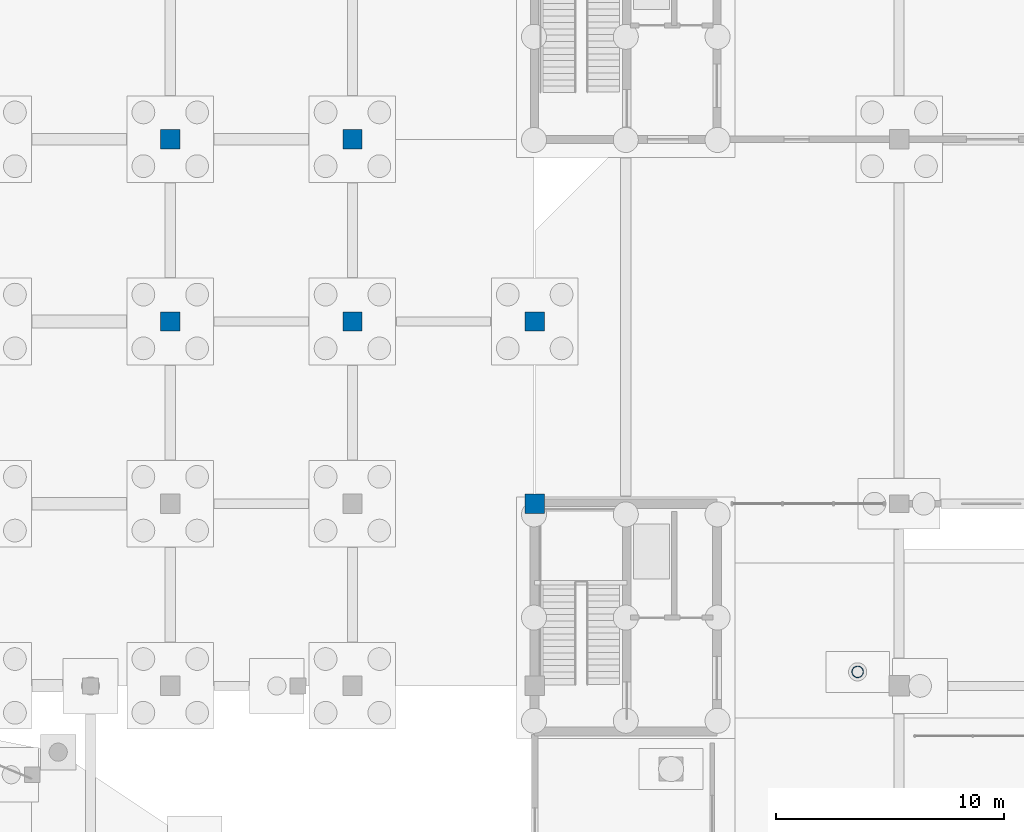
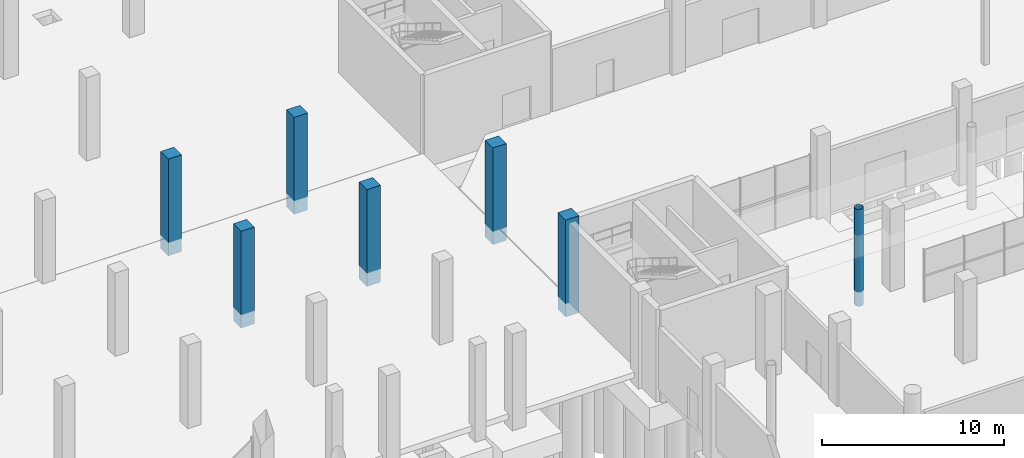
# One storey, part 21 of 98: 7 columns.
"""IFC4 building model written with IfcOpenShell, lengths in metres."""

from ifc_helpers import new_model, si_unit, derived_unit, direction, frame, origin, origin_2d, place, context, subcontext, project, spatial, rectangle, hollow_circle, extrude, material, material_profile, profile_set, type_object, element, save


model = new_model("IFC4")

# Units and contexts
model_context = context("Model", 3, precision=1e-05, world=origin(), true_north=direction((0.0, 1.0)))
body_context = subcontext(model_context, "Body", "Model", "MODEL_VIEW")
ifc_project = project(units=[si_unit("LENGTHUNIT", "METRE"), si_unit("AREAUNIT", "SQUARE_METRE"), si_unit("VOLUMEUNIT", "CUBIC_METRE"), si_unit("PLANEANGLEUNIT", "RADIAN"), si_unit("MASSUNIT", "GRAM", prefix="KILO"), si_unit("THERMODYNAMICTEMPERATUREUNIT", "KELVIN"), derived_unit("THERMALTRANSMITTANCEUNIT", [(si_unit("POWERUNIT", "WATT"), 1), (si_unit("AREAUNIT", "SQUARE_METRE"), -1), (si_unit("THERMODYNAMICTEMPERATUREUNIT", "KELVIN"), -1)])], contexts=[model_context])

# Site, building, storey
site_placement = place(None, origin())
site = spatial("IfcSite", under=ifc_project, at=site_placement, CompositionType="ELEMENT")
building_placement = place(site_placement, origin())
building = spatial("IfcBuilding", under=site, at=building_placement, Name="Haiyu Intermodal Mobility Hub", CompositionType="ELEMENT")
storey_placement = place(building_placement, origin())
storey = spatial("IfcBuildingStorey", under=building, at=storey_placement, Name="L00", CompositionType="ELEMENT", Elevation=0.0)

# Columns
ifc_material_1 = material(Name="Precast concrete C40", Category="concrete")
ifc_material_profile_1 = material_profile(ifc_material_1, rectangle(XDim=0.85009765625, YDim=0.85009765625, at=origin_2d()), Name="RC850x850")
ifc_profile_set_1 = profile_set([ifc_material_profile_1], Name="Precast concrete C40")
column_type_1 = type_object("IfcColumnType", Name="COL-CC01", PredefinedType="COLUMN", material=ifc_profile_set_1)
for number, where, z_axis, x_axis, name in (
    (1, (46.0, 96.0, -0.89990234375), (0.0, 0.0, 1.0), (1.0, 0.0, 0.0), "Column V4W-5L L00"),
    (2, (54.0, 96.0, -0.89990234375), (0.0, 0.0, 1.0), (1.0, 0.0, 0.0), "Column V4W-6L L00"),
):
    element("IfcColumn", number, at=place(storey_placement, frame(where, z_axis=z_axis, x_axis=x_axis)), inside=storey, type_object=column_type_1, Name=name, PredefinedType="COLUMN", context=body_context, shape_type="SweptSolid", body=[
        extrude(rectangle(XDim=0.85009765625, YDim=0.85009765625, at=origin_2d()), origin(), (0.0, 0.0, 1.0), 6.5),
    ])
ifc_material_profile_2 = material_profile(ifc_material_1, rectangle(XDim=0.85009765625, YDim=0.85009765625, at=origin_2d()), Name="RC850x850")
ifc_profile_set_2 = profile_set([ifc_material_profile_2], Name="Precast concrete C40")
column_type_2 = type_object("IfcColumnType", Name="COL-CC01-EXT", PredefinedType="COLUMN", material=ifc_profile_set_2)
for number, where, z_axis, x_axis, name in (
    (3, (46.0, 104.0, -0.89990234375), (0.0, 0.0, 1.0), (1.0, 0.0, 0.0), "Column V4-5M L00"),
    (4, (54.0, 104.0, -0.89990234375), (0.0, 0.0, 1.0), (1.0, 0.0, 0.0), "Column V4-6M L00"),
    (5, (62.0, 88.0, -0.89990234375), (0.0, 0.0, 1.0), (1.0, 0.0, 0.0), "Column V4W-7K L00"),
    (6, (62.0, 96.0, -0.89990234375), (0.0, 0.0, 1.0), (1.0, 0.0, 0.0), "Column V4W-7L L00"),
):
    element("IfcColumn", number, at=place(storey_placement, frame(where, z_axis=z_axis, x_axis=x_axis)), inside=storey, type_object=column_type_2, Name=name, PredefinedType="COLUMN", context=body_context, shape_type="SweptSolid", body=[
        extrude(rectangle(XDim=0.85009765625, YDim=0.85009765625, at=origin_2d()), origin(), (0.0, 0.0, 1.0), 6.5),
    ])
ifc_material_2 = material(Name="Steel Q355C", Category="steel")
ifc_material_profile_3 = material_profile(ifc_material_2, hollow_circle(Radius=0.25390625, WallThickness=0.01611328125, at=origin_2d()), Name="CHS508x16")
ifc_profile_set_3 = profile_set([ifc_material_profile_3], Name="Steel Q355C")
column_type_3 = type_object("IfcColumnType", Name="COL-SC02-EXT", PredefinedType="COLUMN", material=ifc_profile_set_3)
column_placement = place(storey_placement, frame((76.179931640625, 80.616943359375, -0.89990234375), z_axis=(0.0, 0.0, 1.0), x_axis=(1.0, 0.0, 0.0)))
element("IfcColumn", 7, at=column_placement, inside=storey, type_object=column_type_3, Name="Column RCOL-10 L00", PredefinedType="COLUMN", context=body_context, shape_type="SweptSolid", body=[
    extrude(hollow_circle(Radius=0.25390625, WallThickness=0.01611328125, at=origin_2d()), origin(), (0.0, 0.0, 1.0), 6.5),
])

save(model, "model.ifc")
